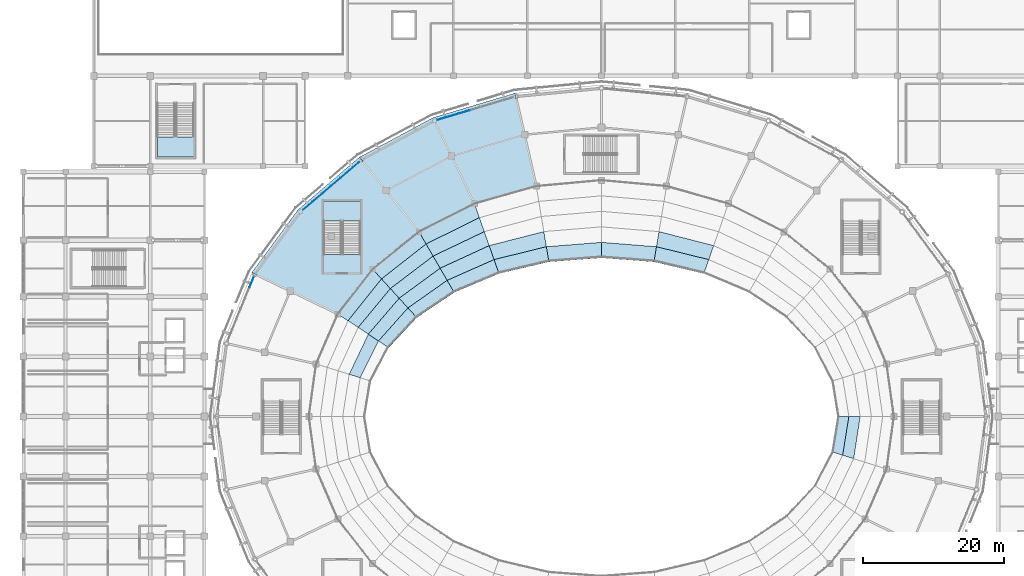
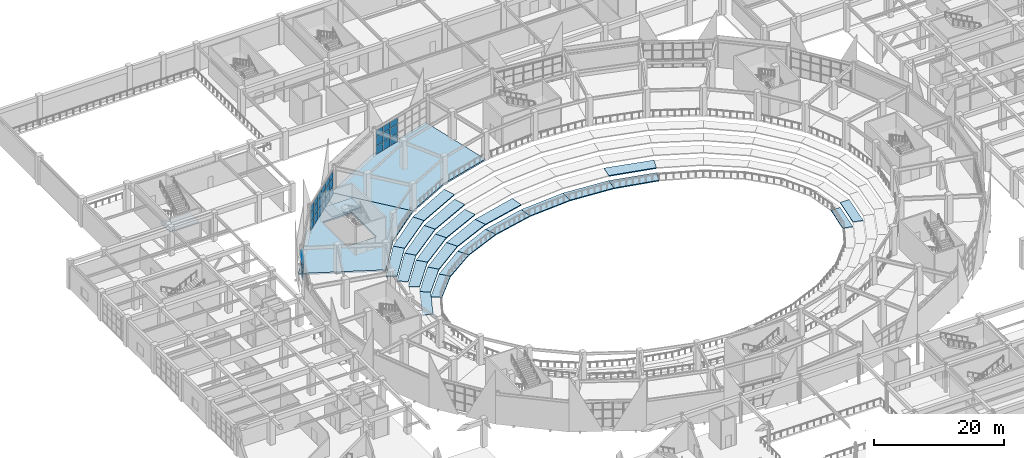
# One storey, part 63 of 120: 30 plates, 28 slabs, 5 elements without a shape of their own.
"""IFC4 building model written with IfcOpenShell, lengths in metres."""

from ifc_helpers import new_model, si_unit, direction, frame, origin, origin_2d, place, context, subcontext, project, spatial, polyline, rectangle, outline, extrude, material, layer, layer_set, type_object, element, aggregate, save


model = new_model("IFC4")

# Units and contexts
model_context = context("Model", 3, precision=1e-05, world=origin(), true_north=direction((0.0, 1.0)))
body_context = subcontext(model_context, "Body", "Model", "MODEL_VIEW")
ifc_project = project(units=[si_unit("LENGTHUNIT", "METRE"), si_unit("AREAUNIT", "SQUARE_METRE"), si_unit("VOLUMEUNIT", "CUBIC_METRE"), si_unit("PLANEANGLEUNIT", "RADIAN"), si_unit("MASSUNIT", "GRAM", prefix="KILO")], contexts=[model_context])

# Site, building, storey
site_placement = place(None, origin())
site = spatial("IfcSite", under=ifc_project, at=site_placement, CompositionType="ELEMENT")
building_placement = place(site_placement, origin())
building = spatial("IfcBuilding", under=site, at=building_placement, Name="Cuetzalor Civic Arena", CompositionType="ELEMENT")
storey_placement = place(building_placement, frame((0.0, 0.0, 6.0)))
storey = spatial("IfcBuildingStorey", under=building, at=storey_placement, Name="L01", CompositionType="ELEMENT", Elevation=6.0)

# Curtain wall, plates
ifc_material_1 = material(Name="Anodised dark bronze aluminium and low-E solar glass", Category="aluminium")
curtain_wall_type_1 = type_object("IfcCurtainWallType", Name="UnitisedCW_11300x4650", PredefinedType="USERDEFINED", material=ifc_material_1)
curtain_wall_1_placement = place(storey_placement, origin())
curtain_wall_1 = element("IfcCurtainWall", 1, at=curtain_wall_1_placement, inside=storey, type_object=curtain_wall_type_1, Name="Drum Triangle Foyer Curtain Wall L01-024", ObjectType="UNITISED CURTAIN WALL", PredefinedType="USERDEFINED")
ifc_material_2 = material(Name="Acoustic laminated solar control glass", Category="glass")
ifc_layer_1 = layer(ifc_material_2, 0.0439453125)
ifc_layer_set_1 = layer_set([ifc_layer_1], Name="Acoustic laminated solar control glass")
plate_type = type_object("IfcPlateType", Name="AcousticTripleGlazedPanel_44", PredefinedType="CURTAIN_PANEL", material=ifc_layer_set_1)
plate_1_placement = place(storey_placement, frame((-22.53125, 42.279541015625, 0.06982421875), z_axis=(0.0, 0.0, 1.0), x_axis=(0.958193690548, 0.286120344251, 0.0)))
plate_1 = element("IfcPlate", 2, at=plate_1_placement, type_object=plate_type, Name="CW-09 panel 1.1", PredefinedType="CURTAIN_PANEL", context=body_context, shape_type="SweptSolid", body=[
    extrude(rectangle(XDim=1.5107421875, YDim=0.0439453125, at=origin_2d()), origin(), (0.0, 0.0, 1.0), 1.570068359375),
])
plate_2_placement = place(storey_placement, frame((-22.53125, 42.279541015625, 1.7099609375), z_axis=(0.0, 0.0, 1.0), x_axis=(0.958193690548, 0.286120344251, 0.0)))
plate_2 = element("IfcPlate", 3, at=plate_2_placement, type_object=plate_type, Name="CW-09 panel 1.2", PredefinedType="CURTAIN_PANEL", context=body_context, shape_type="SweptSolid", body=[
    extrude(rectangle(XDim=1.5107421875, YDim=0.0439453125, at=origin_2d()), origin(), (0.0, 0.0, 1.0), 1.60498046875),
])
plate_3_placement = place(storey_placement, frame((-22.53125, 42.279541015625, 3.384765625), z_axis=(0.0, 0.0, 1.0), x_axis=(0.958193690548, 0.286120344251, 0.0)))
plate_3 = element("IfcPlate", 4, at=plate_3_placement, type_object=plate_type, Name="CW-09 panel 1.3", PredefinedType="CURTAIN_PANEL", context=body_context, shape_type="SweptSolid", body=[
    extrude(rectangle(XDim=1.5107421875, YDim=0.0439453125, at=origin_2d()), origin(), (0.0, 0.0, 1.0), 1.197998046875),
])
plate_4_placement = place(storey_placement, frame((-20.999755859375, 42.73681640625, 0.06982421875), z_axis=(0.0, 0.0, 1.0), x_axis=(0.958193690548, 0.286120344251, 0.0)))
plate_4 = element("IfcPlate", 5, at=plate_4_placement, type_object=plate_type, Name="CW-09 panel 2.1", PredefinedType="CURTAIN_PANEL", context=body_context, shape_type="SweptSolid", body=[
    extrude(rectangle(XDim=1.545654296875, YDim=0.0439453125, at=origin_2d()), origin(), (0.0, 0.0, 1.0), 1.570068359375),
])
plate_5_placement = place(storey_placement, frame((-20.999755859375, 42.73681640625, 1.7099609375), z_axis=(0.0, 0.0, 1.0), x_axis=(0.958193690548, 0.286120344251, 0.0)))
plate_5 = element("IfcPlate", 6, at=plate_5_placement, type_object=plate_type, Name="CW-09 panel 2.2", PredefinedType="CURTAIN_PANEL", context=body_context, shape_type="SweptSolid", body=[
    extrude(rectangle(XDim=1.545654296875, YDim=0.0439453125, at=origin_2d()), origin(), (0.0, 0.0, 1.0), 1.60498046875),
])
plate_6_placement = place(storey_placement, frame((-20.999755859375, 42.73681640625, 3.384765625), z_axis=(0.0, 0.0, 1.0), x_axis=(0.958193690548, 0.286120344251, 0.0)))
plate_6 = element("IfcPlate", 7, at=plate_6_placement, type_object=plate_type, Name="CW-09 panel 2.3", PredefinedType="CURTAIN_PANEL", context=body_context, shape_type="SweptSolid", body=[
    extrude(rectangle(XDim=1.545654296875, YDim=0.0439453125, at=origin_2d()), origin(), (0.0, 0.0, 1.0), 1.197998046875),
])
plate_7_placement = place(storey_placement, frame((-19.45166015625, 43.19921875, 0.06982421875), z_axis=(0.0, 0.0, 1.0), x_axis=(0.958193690548, 0.286120344251, 0.0)))
plate_7 = element("IfcPlate", 8, at=plate_7_placement, type_object=plate_type, Name="CW-09 panel 3.1", PredefinedType="CURTAIN_PANEL", context=body_context, shape_type="SweptSolid", body=[
    extrude(rectangle(XDim=1.545654296875, YDim=0.0439453125, at=origin_2d()), origin(), (0.0, 0.0, 1.0), 1.570068359375),
])
plate_8_placement = place(storey_placement, frame((-19.45166015625, 43.19921875, 1.7099609375), z_axis=(0.0, 0.0, 1.0), x_axis=(0.958193690548, 0.286120344251, 0.0)))
plate_8 = element("IfcPlate", 9, at=plate_8_placement, type_object=plate_type, Name="CW-09 panel 3.2", PredefinedType="CURTAIN_PANEL", context=body_context, shape_type="SweptSolid", body=[
    extrude(rectangle(XDim=1.545654296875, YDim=0.0439453125, at=origin_2d()), origin(), (0.0, 0.0, 1.0), 1.60498046875),
])
plate_9_placement = place(storey_placement, frame((-19.45166015625, 43.19921875, 3.384765625), z_axis=(0.0, 0.0, 1.0), x_axis=(0.958193690548, 0.286120344251, 0.0)))
plate_9 = element("IfcPlate", 10, at=plate_9_placement, type_object=plate_type, Name="CW-09 panel 3.3", PredefinedType="CURTAIN_PANEL", context=body_context, shape_type="SweptSolid", body=[
    extrude(rectangle(XDim=1.545654296875, YDim=0.0439453125, at=origin_2d()), origin(), (0.0, 0.0, 1.0), 1.197998046875),
])
aggregate(curtain_wall_1, [plate_1, plate_2, plate_3, plate_4, plate_5, plate_6, plate_7, plate_8, plate_9])

ifc_material_3 = material(Name="Anodised dark bronze aluminium and low-E solar glass", Category="aluminium")
curtain_wall_type_2 = type_object("IfcCurtainWallType", Name="UnitisedCW_10550x4650", PredefinedType="USERDEFINED", material=ifc_material_3)
curtain_wall_2_placement = place(storey_placement, origin())
curtain_wall_2 = element("IfcCurtainWall", 11, at=curtain_wall_2_placement, inside=storey, type_object=curtain_wall_type_2, Name="Drum Triangle Foyer Curtain Wall L01-025", ObjectType="UNITISED CURTAIN WALL", PredefinedType="USERDEFINED")
plate_10_placement = place(storey_placement, frame((-41.654541015625, 29.871826171875, 0.06982421875), z_axis=(0.0, 0.0, 1.0), x_axis=(0.760677142663, 0.64913040649, 0.0)))
plate_10 = element("IfcPlate", 12, at=plate_10_placement, type_object=plate_type, Name="CW-10 panel 1.1", PredefinedType="CURTAIN_PANEL", context=body_context, shape_type="SweptSolid", body=[
    extrude(rectangle(XDim=1.650146484375, YDim=0.0439453125, at=origin_2d()), origin(), (0.0, 0.0, 1.0), 1.570068359375),
])
plate_11_placement = place(storey_placement, frame((-41.654541015625, 29.871826171875, 1.7099609375), z_axis=(0.0, 0.0, 1.0), x_axis=(0.760677142663, 0.64913040649, 0.0)))
plate_11 = element("IfcPlate", 13, at=plate_11_placement, type_object=plate_type, Name="CW-10 panel 1.2", PredefinedType="CURTAIN_PANEL", context=body_context, shape_type="SweptSolid", body=[
    extrude(rectangle(XDim=1.650146484375, YDim=0.0439453125, at=origin_2d()), origin(), (0.0, 0.0, 1.0), 1.60498046875),
])
plate_12_placement = place(storey_placement, frame((-41.654541015625, 29.871826171875, 3.384765625), z_axis=(0.0, 0.0, 1.0), x_axis=(0.760677142663, 0.64913040649, 0.0)))
plate_12 = element("IfcPlate", 14, at=plate_12_placement, type_object=plate_type, Name="CW-10 panel 1.3", PredefinedType="CURTAIN_PANEL", context=body_context, shape_type="SweptSolid", body=[
    extrude(rectangle(XDim=1.650146484375, YDim=0.0439453125, at=origin_2d()), origin(), (0.0, 0.0, 1.0), 1.197998046875),
])
plate_13_placement = place(storey_placement, frame((-40.332763671875, 31.0, 0.06982421875), z_axis=(0.0, 0.0, 1.0), x_axis=(0.760677142663, 0.64913040649, 0.0)))
plate_13 = element("IfcPlate", 15, at=plate_13_placement, type_object=plate_type, Name="CW-10 panel 2.1", PredefinedType="CURTAIN_PANEL", context=body_context, shape_type="SweptSolid", body=[
    extrude(rectangle(XDim=1.68505859375, YDim=0.0439453125, at=origin_2d()), origin(), (0.0, 0.0, 1.0), 1.570068359375),
])
plate_14_placement = place(storey_placement, frame((-40.332763671875, 31.0, 1.7099609375), z_axis=(0.0, 0.0, 1.0), x_axis=(0.760677142663, 0.64913040649, 0.0)))
plate_14 = element("IfcPlate", 16, at=plate_14_placement, type_object=plate_type, Name="CW-10 panel 2.2", PredefinedType="CURTAIN_PANEL", context=body_context, shape_type="SweptSolid", body=[
    extrude(rectangle(XDim=1.68505859375, YDim=0.0439453125, at=origin_2d()), origin(), (0.0, 0.0, 1.0), 1.60498046875),
])
plate_15_placement = place(storey_placement, frame((-40.332763671875, 31.0, 3.384765625), z_axis=(0.0, 0.0, 1.0), x_axis=(0.760677142663, 0.64913040649, 0.0)))
plate_15 = element("IfcPlate", 17, at=plate_15_placement, type_object=plate_type, Name="CW-10 panel 2.3", PredefinedType="CURTAIN_PANEL", context=body_context, shape_type="SweptSolid", body=[
    extrude(rectangle(XDim=1.68505859375, YDim=0.0439453125, at=origin_2d()), origin(), (0.0, 0.0, 1.0), 1.197998046875),
])
plate_16_placement = place(storey_placement, frame((-38.997802734375, 32.13916015625, 0.06982421875), z_axis=(0.0, 0.0, 1.0), x_axis=(0.760677142663, 0.64913040649, 0.0)))
plate_16 = element("IfcPlate", 18, at=plate_16_placement, type_object=plate_type, Name="CW-10 panel 3.1", PredefinedType="CURTAIN_PANEL", context=body_context, shape_type="SweptSolid", body=[
    extrude(rectangle(XDim=1.68505859375, YDim=0.0439453125, at=origin_2d()), origin(), (0.0, 0.0, 1.0), 1.570068359375),
])
plate_17_placement = place(storey_placement, frame((-38.997802734375, 32.13916015625, 1.7099609375), z_axis=(0.0, 0.0, 1.0), x_axis=(0.760677142663, 0.64913040649, 0.0)))
plate_17 = element("IfcPlate", 19, at=plate_17_placement, type_object=plate_type, Name="CW-10 panel 3.2", PredefinedType="CURTAIN_PANEL", context=body_context, shape_type="SweptSolid", body=[
    extrude(rectangle(XDim=1.68505859375, YDim=0.0439453125, at=origin_2d()), origin(), (0.0, 0.0, 1.0), 1.60498046875),
])
plate_18_placement = place(storey_placement, frame((-38.997802734375, 32.13916015625, 3.384765625), z_axis=(0.0, 0.0, 1.0), x_axis=(0.760677142663, 0.64913040649, 0.0)))
plate_18 = element("IfcPlate", 20, at=plate_18_placement, type_object=plate_type, Name="CW-10 panel 3.3", PredefinedType="CURTAIN_PANEL", context=body_context, shape_type="SweptSolid", body=[
    extrude(rectangle(XDim=1.68505859375, YDim=0.0439453125, at=origin_2d()), origin(), (0.0, 0.0, 1.0), 1.197998046875),
])
plate_19_placement = place(storey_placement, frame((-37.66259765625, 33.278564453125, 0.06982421875), z_axis=(0.0, 0.0, 1.0), x_axis=(0.760677142663, 0.64913040649, 0.0)))
plate_19 = element("IfcPlate", 21, at=plate_19_placement, type_object=plate_type, Name="CW-10 panel 4.1", PredefinedType="CURTAIN_PANEL", context=body_context, shape_type="SweptSolid", body=[
    extrude(rectangle(XDim=1.68505859375, YDim=0.0439453125, at=origin_2d()), origin(), (0.0, 0.0, 1.0), 1.570068359375),
])
plate_20_placement = place(storey_placement, frame((-37.66259765625, 33.278564453125, 1.7099609375), z_axis=(0.0, 0.0, 1.0), x_axis=(0.760677142663, 0.64913040649, 0.0)))
plate_20 = element("IfcPlate", 22, at=plate_20_placement, type_object=plate_type, Name="CW-10 panel 4.2", PredefinedType="CURTAIN_PANEL", context=body_context, shape_type="SweptSolid", body=[
    extrude(rectangle(XDim=1.68505859375, YDim=0.0439453125, at=origin_2d()), origin(), (0.0, 0.0, 1.0), 1.60498046875),
])
plate_21_placement = place(storey_placement, frame((-37.66259765625, 33.278564453125, 3.384765625), z_axis=(0.0, 0.0, 1.0), x_axis=(0.760677142663, 0.64913040649, 0.0)))
plate_21 = element("IfcPlate", 23, at=plate_21_placement, type_object=plate_type, Name="CW-10 panel 4.3", PredefinedType="CURTAIN_PANEL", context=body_context, shape_type="SweptSolid", body=[
    extrude(rectangle(XDim=1.68505859375, YDim=0.0439453125, at=origin_2d()), origin(), (0.0, 0.0, 1.0), 1.197998046875),
])
plate_22_placement = place(storey_placement, frame((-36.327392578125, 34.41796875, 0.06982421875), z_axis=(0.0, 0.0, 1.0), x_axis=(0.760677142663, 0.64913040649, 0.0)))
plate_22 = element("IfcPlate", 24, at=plate_22_placement, type_object=plate_type, Name="CW-10 panel 5.1", PredefinedType="CURTAIN_PANEL", context=body_context, shape_type="SweptSolid", body=[
    extrude(rectangle(XDim=1.68505859375, YDim=0.0439453125, at=origin_2d()), origin(), (0.0, 0.0, 1.0), 1.570068359375),
])
plate_23_placement = place(storey_placement, frame((-36.327392578125, 34.41796875, 1.7099609375), z_axis=(0.0, 0.0, 1.0), x_axis=(0.760677142663, 0.64913040649, 0.0)))
plate_23 = element("IfcPlate", 25, at=plate_23_placement, type_object=plate_type, Name="CW-10 panel 5.2", PredefinedType="CURTAIN_PANEL", context=body_context, shape_type="SweptSolid", body=[
    extrude(rectangle(XDim=1.68505859375, YDim=0.0439453125, at=origin_2d()), origin(), (0.0, 0.0, 1.0), 1.60498046875),
])
plate_24_placement = place(storey_placement, frame((-36.327392578125, 34.41796875, 3.384765625), z_axis=(0.0, 0.0, 1.0), x_axis=(0.760677142663, 0.64913040649, 0.0)))
plate_24 = element("IfcPlate", 26, at=plate_24_placement, type_object=plate_type, Name="CW-10 panel 5.3", PredefinedType="CURTAIN_PANEL", context=body_context, shape_type="SweptSolid", body=[
    extrude(rectangle(XDim=1.68505859375, YDim=0.0439453125, at=origin_2d()), origin(), (0.0, 0.0, 1.0), 1.197998046875),
])
plate_25_placement = place(storey_placement, frame((-35.005615234375, 35.5458984375, 0.06982421875), z_axis=(0.0, 0.0, 1.0), x_axis=(0.760677142663, 0.64913040649, 0.0)))
plate_25 = element("IfcPlate", 27, at=plate_25_placement, type_object=plate_type, Name="CW-10 panel 6.1", PredefinedType="CURTAIN_PANEL", context=body_context, shape_type="SweptSolid", body=[
    extrude(rectangle(XDim=1.650146484375, YDim=0.0439453125, at=origin_2d()), origin(), (0.0, 0.0, 1.0), 1.570068359375),
])
plate_26_placement = place(storey_placement, frame((-35.005615234375, 35.5458984375, 1.7099609375), z_axis=(0.0, 0.0, 1.0), x_axis=(0.760677142663, 0.64913040649, 0.0)))
plate_26 = element("IfcPlate", 28, at=plate_26_placement, type_object=plate_type, Name="CW-10 panel 6.2", PredefinedType="CURTAIN_PANEL", context=body_context, shape_type="SweptSolid", body=[
    extrude(rectangle(XDim=1.650146484375, YDim=0.0439453125, at=origin_2d()), origin(), (0.0, 0.0, 1.0), 1.60498046875),
])
plate_27_placement = place(storey_placement, frame((-35.005615234375, 35.5458984375, 3.384765625), z_axis=(0.0, 0.0, 1.0), x_axis=(0.760677142663, 0.64913040649, 0.0)))
plate_27 = element("IfcPlate", 29, at=plate_27_placement, type_object=plate_type, Name="CW-10 panel 6.3", PredefinedType="CURTAIN_PANEL", context=body_context, shape_type="SweptSolid", body=[
    extrude(rectangle(XDim=1.650146484375, YDim=0.0439453125, at=origin_2d()), origin(), (0.0, 0.0, 1.0), 1.197998046875),
])
aggregate(curtain_wall_2, [plate_10, plate_11, plate_12, plate_13, plate_14, plate_15, plate_16, plate_17, plate_18, plate_19, plate_20, plate_21, plate_22, plate_23, plate_24, plate_25, plate_26, plate_27])

ifc_material_4 = material(Name="Anodised dark bronze aluminium and low-E solar glass", Category="aluminium")
curtain_wall_type_3 = type_object("IfcCurtainWallType", Name="UnitisedCW_9850x4650", PredefinedType="USERDEFINED", material=ifc_material_4)
curtain_wall_3_placement = place(storey_placement, origin())
curtain_wall_3 = element("IfcCurtainWall", 30, at=curtain_wall_3_placement, inside=storey, type_object=curtain_wall_type_3, Name="Drum Triangle Foyer Curtain Wall L01-026", ObjectType="UNITISED CURTAIN WALL", PredefinedType="USERDEFINED")
plate_28_placement = place(storey_placement, frame((-49.61083984375, 19.068359375, 0.06982421875), z_axis=(0.0, 0.0, 1.0), x_axis=(0.379391428583, 0.925236263836, 0.0)))
plate_28 = element("IfcPlate", 31, at=plate_28_placement, type_object=plate_type, Name="CW-11 panel 6.1", PredefinedType="CURTAIN_PANEL", context=body_context, shape_type="SweptSolid", body=[
    extrude(rectangle(XDim=1.540771484375, YDim=0.0439453125, at=origin_2d()), origin(), (0.0, 0.0, 1.0), 1.570068359375),
])
plate_29_placement = place(storey_placement, frame((-49.61083984375, 19.068359375, 1.7099609375), z_axis=(0.0, 0.0, 1.0), x_axis=(0.379391428583, 0.925236263836, 0.0)))
plate_29 = element("IfcPlate", 32, at=plate_29_placement, type_object=plate_type, Name="CW-11 panel 6.2", PredefinedType="CURTAIN_PANEL", context=body_context, shape_type="SweptSolid", body=[
    extrude(rectangle(XDim=1.540771484375, YDim=0.0439453125, at=origin_2d()), origin(), (0.0, 0.0, 1.0), 1.60498046875),
])
plate_30_placement = place(storey_placement, frame((-49.61083984375, 19.068359375, 3.384765625), z_axis=(0.0, 0.0, 1.0), x_axis=(0.379391428583, 0.925236263836, 0.0)))
plate_30 = element("IfcPlate", 33, at=plate_30_placement, type_object=plate_type, Name="CW-11 panel 6.3", PredefinedType="CURTAIN_PANEL", context=body_context, shape_type="SweptSolid", body=[
    extrude(rectangle(XDim=1.540771484375, YDim=0.0439453125, at=origin_2d()), origin(), (0.0, 0.0, 1.0), 1.197998046875),
])
aggregate(curtain_wall_3, [plate_28, plate_29, plate_30])

# Slabs
ifc_material_5 = material(Name="Concrete C35/45", Category="concrete")
ifc_layer_2 = layer(ifc_material_5, 0.300048828125)
ifc_layer_set_2 = layer_set([ifc_layer_2], Name="Concrete C35/45")
slab_type_1 = type_object("IfcSlabType", Name="ConcourseFloorSlab_300", PredefinedType="FLOOR", material=ifc_layer_set_2)
slab_1_placement = place(storey_placement, frame((0.0, 0.0, -0.300048828125)))
element("IfcSlab", 34, at=slab_1_placement, inside=storey, type_object=slab_type_1, Name="Arena Concourse Sector Slab L01-05", PredefinedType="FLOOR", context=body_context, shape_type="SweptSolid", body=[
    extrude(outline(polyline([(-9.234619140625, 32.66015625), (-18.006103515625, 30.1826171875), (-25.874755859375, 26.19140625), (-34.322998046875, 36.78515625), (-23.88525390625, 42.390625), (-12.249755859375, 45.870361328125), (-9.234619140625, 32.66015625)])), origin(), (0.0, 0.0, 1.0), 0.300048828125),
])
slab_2_placement = place(storey_placement, frame((0.0, 0.0, -0.300048828125)))
element("IfcSlab", 35, at=slab_2_placement, inside=storey, type_object=slab_type_1, Name="Arena Concourse Sector Slab L01-06", PredefinedType="FLOOR", context=body_context, shape_type="SweptSolid", body=[
    extrude(outline(polyline([(-32.446044921875, 20.886962890625), (-37.39013671875, 14.53515625), (-49.598388671875, 20.414306640625), (-43.039794921875, 29.335205078125), (-34.322998046875, 36.78515625), (-25.874755859375, 26.19140625), (-32.446044921875, 20.886962890625)]), holes=[polyline([(-34.199951171875, 23.0), (-34.199951171875, 30.60009765625), (-39.39990234375, 30.60009765625), (-39.39990234375, 23.0), (-34.199951171875, 23.0)])]), origin(), (0.0, 0.0, 1.0), 0.300048828125),
])
ifc_material_6 = material(Name="Precast concrete C45/55", Category="concrete")
ifc_layer_3 = layer(ifc_material_6, 0.179931640625)
ifc_layer_set_3 = layer_set([ifc_layer_3], Name="Precast concrete C45/55")
slab_type_2 = type_object("IfcSlabType", Name="LowerBowlSeatingTier_180", PredefinedType="USERDEFINED", material=ifc_layer_set_3)
slab_3_placement = place(storey_placement, frame((0.0, 0.0, -4.97998046875)))
element("IfcSlab", 36, at=slab_3_placement, inside=storey, type_object=slab_type_2, Name="Stand Lower Tier Bay 06 Row 1", ObjectType="SEATING TIER", PredefinedType="USERDEFINED", context=body_context, shape_type="SweptSolid", body=[
    extrude(outline(polyline([(14.53515625, 20.271728515625), (7.45458984375, 21.935791015625), (7.810546875, 24.080810546875), (15.229248046875, 22.25390625), (14.53515625, 20.271728515625)])), origin(), (0.0, 0.0, 1.0), 0.179931640625),
])
slab_4_placement = place(storey_placement, frame((0.0, 0.0, -4.06005859375)))
element("IfcSlab", 37, at=slab_4_placement, inside=storey, type_object=slab_type_2, Name="Stand Lower Tier Bay 06 Row 2", ObjectType="SEATING TIER", PredefinedType="USERDEFINED", context=body_context, shape_type="SweptSolid", body=[
    extrude(outline(polyline([(15.229248046875, 22.25390625), (7.810546875, 24.080810546875), (8.16650390625, 26.2255859375), (15.923583984375, 24.236083984375), (15.229248046875, 22.25390625)])), origin(), (0.0, 0.0, 1.0), 0.18017578125),
])
slab_5_placement = place(storey_placement, frame((0.0, 0.0, -4.97998046875)))
element("IfcSlab", 38, at=slab_5_placement, inside=storey, type_object=slab_type_2, Name="Stand Lower Tier Bay 07 Row 1", ObjectType="SEATING TIER", PredefinedType="USERDEFINED", context=body_context, shape_type="SweptSolid", body=[
    extrude(outline(polyline([(7.45458984375, 21.935791015625), (0.0, 22.5), (0.0, 24.699951171875), (7.810546875, 24.080810546875), (7.45458984375, 21.935791015625)])), origin(), (0.0, 0.0, 1.0), 0.179931640625),
])
slab_6_placement = place(storey_placement, frame((0.0, 0.0, -4.97998046875)))
element("IfcSlab", 39, at=slab_6_placement, inside=storey, type_object=slab_type_2, Name="Stand Lower Tier Bay 08 Row 1", ObjectType="SEATING TIER", PredefinedType="USERDEFINED", context=body_context, shape_type="SweptSolid", body=[
    extrude(outline(polyline([(0.0, 22.5), (-7.45458984375, 21.935791015625), (-7.810546875, 24.080810546875), (0.0, 24.699951171875), (0.0, 22.5)])), origin(), (0.0, 0.0, 1.0), 0.179931640625),
])
slab_7_placement = place(storey_placement, frame((0.0, 0.0, -4.97998046875)))
element("IfcSlab", 40, at=slab_7_placement, inside=storey, type_object=slab_type_2, Name="Stand Lower Tier Bay 09 Row 1", ObjectType="SEATING TIER", PredefinedType="USERDEFINED", context=body_context, shape_type="SweptSolid", body=[
    extrude(outline(polyline([(-7.45458984375, 21.935791015625), (-14.53515625, 20.271728515625), (-15.229248046875, 22.25390625), (-7.810546875, 24.080810546875), (-7.45458984375, 21.935791015625)])), origin(), (0.0, 0.0, 1.0), 0.179931640625),
])
slab_8_placement = place(storey_placement, frame((0.0, 0.0, -4.06005859375)))
element("IfcSlab", 41, at=slab_8_placement, inside=storey, type_object=slab_type_2, Name="Stand Lower Tier Bay 09 Row 2", ObjectType="SEATING TIER", PredefinedType="USERDEFINED", context=body_context, shape_type="SweptSolid", body=[
    extrude(outline(polyline([(-7.810546875, 24.080810546875), (-15.229248046875, 22.25390625), (-15.923583984375, 24.236083984375), (-8.16650390625, 26.2255859375), (-7.810546875, 24.080810546875)])), origin(), (0.0, 0.0, 1.0), 0.18017578125),
])
slab_9_placement = place(storey_placement, frame((0.0, 0.0, -4.97998046875)))
element("IfcSlab", 42, at=slab_9_placement, inside=storey, type_object=slab_type_2, Name="Stand Lower Tier Bay 10 Row 1", ObjectType="SEATING TIER", PredefinedType="USERDEFINED", context=body_context, shape_type="SweptSolid", body=[
    extrude(outline(polyline([(-14.53515625, 20.271728515625), (-20.886962890625, 17.59130859375), (-21.884521484375, 19.311279296875), (-15.229248046875, 22.25390625), (-14.53515625, 20.271728515625)])), origin(), (0.0, 0.0, 1.0), 0.179931640625),
])
slab_10_placement = place(storey_placement, frame((0.0, 0.0, -4.06005859375)))
element("IfcSlab", 43, at=slab_10_placement, inside=storey, type_object=slab_type_2, Name="Stand Lower Tier Bay 10 Row 2", ObjectType="SEATING TIER", PredefinedType="USERDEFINED", context=body_context, shape_type="SweptSolid", body=[
    extrude(outline(polyline([(-15.229248046875, 22.25390625), (-21.884521484375, 19.311279296875), (-22.882080078125, 21.03125), (-15.923583984375, 24.236083984375), (-15.229248046875, 22.25390625)])), origin(), (0.0, 0.0, 1.0), 0.18017578125),
])
slab_11_placement = place(storey_placement, frame((0.0, 0.0, -3.139892578125)))
element("IfcSlab", 44, at=slab_11_placement, inside=storey, type_object=slab_type_2, Name="Stand Lower Tier Bay 10 Row 3", ObjectType="SEATING TIER", PredefinedType="USERDEFINED", context=body_context, shape_type="SweptSolid", body=[
    extrude(outline(polyline([(-15.923583984375, 24.236083984375), (-22.882080078125, 21.03125), (-23.879638671875, 22.751220703125), (-16.61767578125, 26.21826171875), (-15.923583984375, 24.236083984375)])), origin(), (0.0, 0.0, 1.0), 0.179931640625),
])
slab_12_placement = place(storey_placement, frame((0.0, 0.0, -2.219970703125)))
element("IfcSlab", 45, at=slab_12_placement, inside=storey, type_object=slab_type_2, Name="Stand Lower Tier Bay 10 Row 4", ObjectType="SEATING TIER", PredefinedType="USERDEFINED", context=body_context, shape_type="SweptSolid", body=[
    extrude(outline(polyline([(-16.61767578125, 26.21826171875), (-23.879638671875, 22.751220703125), (-24.877197265625, 24.47119140625), (-17.31201171875, 28.2001953125), (-16.61767578125, 26.21826171875)])), origin(), (0.0, 0.0, 1.0), 0.179931640625),
])
slab_13_placement = place(storey_placement, frame((0.0, 0.0, -1.300048828125)))
element("IfcSlab", 46, at=slab_13_placement, inside=storey, type_object=slab_type_2, Name="Stand Lower Tier Bay 10 Row 5", ObjectType="SEATING TIER", PredefinedType="USERDEFINED", context=body_context, shape_type="SweptSolid", body=[
    extrude(outline(polyline([(-17.31201171875, 28.2001953125), (-24.877197265625, 24.47119140625), (-25.874755859375, 26.19140625), (-18.006103515625, 30.1826171875), (-17.31201171875, 28.2001953125)])), origin(), (0.0, 0.0, 1.0), 0.179931640625),
])
slab_14_placement = place(storey_placement, frame((0.0, 0.0, -4.97998046875)))
element("IfcSlab", 47, at=slab_14_placement, inside=storey, type_object=slab_type_2, Name="Stand Lower Tier Bay 11 Row 1", ObjectType="SEATING TIER", PredefinedType="USERDEFINED", context=body_context, shape_type="SweptSolid", body=[
    extrude(outline(polyline([(-20.886962890625, 17.59130859375), (-26.19140625, 14.028564453125), (-27.4423828125, 15.400146484375), (-21.884521484375, 19.311279296875), (-20.886962890625, 17.59130859375)])), origin(), (0.0, 0.0, 1.0), 0.179931640625),
])
slab_15_placement = place(storey_placement, frame((0.0, 0.0, -4.06005859375)))
element("IfcSlab", 48, at=slab_15_placement, inside=storey, type_object=slab_type_2, Name="Stand Lower Tier Bay 11 Row 2", ObjectType="SEATING TIER", PredefinedType="USERDEFINED", context=body_context, shape_type="SweptSolid", body=[
    extrude(outline(polyline([(-21.884521484375, 19.311279296875), (-27.4423828125, 15.400146484375), (-28.693115234375, 16.77197265625), (-22.882080078125, 21.03125), (-21.884521484375, 19.311279296875)])), origin(), (0.0, 0.0, 1.0), 0.18017578125),
])
slab_16_placement = place(storey_placement, frame((0.0, 0.0, -3.139892578125)))
element("IfcSlab", 49, at=slab_16_placement, inside=storey, type_object=slab_type_2, Name="Stand Lower Tier Bay 11 Row 3", ObjectType="SEATING TIER", PredefinedType="USERDEFINED", context=body_context, shape_type="SweptSolid", body=[
    extrude(outline(polyline([(-22.882080078125, 21.03125), (-28.693115234375, 16.77197265625), (-29.944091796875, 18.1435546875), (-23.879638671875, 22.751220703125), (-22.882080078125, 21.03125)])), origin(), (0.0, 0.0, 1.0), 0.179931640625),
])
slab_17_placement = place(storey_placement, frame((0.0, 0.0, -2.219970703125)))
element("IfcSlab", 50, at=slab_17_placement, inside=storey, type_object=slab_type_2, Name="Stand Lower Tier Bay 11 Row 4", ObjectType="SEATING TIER", PredefinedType="USERDEFINED", context=body_context, shape_type="SweptSolid", body=[
    extrude(outline(polyline([(-23.879638671875, 22.751220703125), (-29.944091796875, 18.1435546875), (-31.195068359375, 19.51513671875), (-24.877197265625, 24.47119140625), (-23.879638671875, 22.751220703125)])), origin(), (0.0, 0.0, 1.0), 0.179931640625),
])
slab_18_placement = place(storey_placement, frame((0.0, 0.0, -1.300048828125)))
element("IfcSlab", 51, at=slab_18_placement, inside=storey, type_object=slab_type_2, Name="Stand Lower Tier Bay 11 Row 5", ObjectType="SEATING TIER", PredefinedType="USERDEFINED", context=body_context, shape_type="SweptSolid", body=[
    extrude(outline(polyline([(-24.877197265625, 24.47119140625), (-31.195068359375, 19.51513671875), (-32.446044921875, 20.886962890625), (-25.874755859375, 26.19140625), (-24.877197265625, 24.47119140625)])), origin(), (0.0, 0.0, 1.0), 0.179931640625),
])
slab_19_placement = place(storey_placement, frame((0.0, 0.0, -4.97998046875)))
element("IfcSlab", 52, at=slab_19_placement, inside=storey, type_object=slab_type_2, Name="Stand Lower Tier Bay 12 Row 1", ObjectType="SEATING TIER", PredefinedType="USERDEFINED", context=body_context, shape_type="SweptSolid", body=[
    extrude(outline(polyline([(-26.19140625, 14.028564453125), (-30.1826171875, 9.762451171875), (-31.6240234375, 10.716796875), (-27.4423828125, 15.400146484375), (-26.19140625, 14.028564453125)])), origin(), (0.0, 0.0, 1.0), 0.179931640625),
])
slab_20_placement = place(storey_placement, frame((0.0, 0.0, -4.06005859375)))
element("IfcSlab", 53, at=slab_20_placement, inside=storey, type_object=slab_type_2, Name="Stand Lower Tier Bay 12 Row 2", ObjectType="SEATING TIER", PredefinedType="USERDEFINED", context=body_context, shape_type="SweptSolid", body=[
    extrude(outline(polyline([(-27.4423828125, 15.400146484375), (-31.6240234375, 10.716796875), (-33.065673828125, 11.67138671875), (-28.693115234375, 16.77197265625), (-27.4423828125, 15.400146484375)])), origin(), (0.0, 0.0, 1.0), 0.18017578125),
])
slab_21_placement = place(storey_placement, frame((0.0, 0.0, -3.139892578125)))
element("IfcSlab", 54, at=slab_21_placement, inside=storey, type_object=slab_type_2, Name="Stand Lower Tier Bay 12 Row 3", ObjectType="SEATING TIER", PredefinedType="USERDEFINED", context=body_context, shape_type="SweptSolid", body=[
    extrude(outline(polyline([(-28.693115234375, 16.77197265625), (-33.065673828125, 11.67138671875), (-34.507080078125, 12.6259765625), (-29.944091796875, 18.1435546875), (-28.693115234375, 16.77197265625)])), origin(), (0.0, 0.0, 1.0), 0.179931640625),
])
slab_22_placement = place(storey_placement, frame((0.0, 0.0, -2.219970703125)))
element("IfcSlab", 55, at=slab_22_placement, inside=storey, type_object=slab_type_2, Name="Stand Lower Tier Bay 12 Row 4", ObjectType="SEATING TIER", PredefinedType="USERDEFINED", context=body_context, shape_type="SweptSolid", body=[
    extrude(outline(polyline([(-29.944091796875, 18.1435546875), (-34.507080078125, 12.6259765625), (-35.94873046875, 13.58056640625), (-31.195068359375, 19.51513671875), (-29.944091796875, 18.1435546875)])), origin(), (0.0, 0.0, 1.0), 0.179931640625),
])
slab_23_placement = place(storey_placement, frame((0.0, 0.0, -1.300048828125)))
element("IfcSlab", 56, at=slab_23_placement, inside=storey, type_object=slab_type_2, Name="Stand Lower Tier Bay 12 Row 5", ObjectType="SEATING TIER", PredefinedType="USERDEFINED", context=body_context, shape_type="SweptSolid", body=[
    extrude(outline(polyline([(-31.195068359375, 19.51513671875), (-35.94873046875, 13.58056640625), (-37.39013671875, 14.53515625), (-32.446044921875, 20.886962890625), (-31.195068359375, 19.51513671875)])), origin(), (0.0, 0.0, 1.0), 0.179931640625),
])
slab_24_placement = place(storey_placement, frame((0.0, 0.0, -4.06005859375)))
element("IfcSlab", 57, at=slab_24_placement, inside=storey, type_object=slab_type_2, Name="Stand Lower Tier Bay 13 Row 2", ObjectType="SEATING TIER", PredefinedType="USERDEFINED", context=body_context, shape_type="SweptSolid", body=[
    extrude(outline(polyline([(-31.6240234375, 10.716796875), (-34.219970703125, 5.496337890625), (-35.77978515625, 5.98583984375), (-33.065673828125, 11.67138671875), (-31.6240234375, 10.716796875)])), origin(), (0.0, 0.0, 1.0), 0.18017578125),
])
slab_25_placement = place(storey_placement, frame((0.0, 0.0, -4.97998046875)))
element("IfcSlab", 58, at=slab_25_placement, inside=storey, type_object=slab_type_2, Name="Stand Lower Tier Bay 28 Row 1", ObjectType="SEATING TIER", PredefinedType="USERDEFINED", context=body_context, shape_type="SweptSolid", body=[
    extrude(outline(polyline([(32.66015625, -5.006591796875), (33.5, 0.0), (35.10009765625, 0.0), (34.219970703125, -5.496337890625), (32.66015625, -5.006591796875)])), origin(), (0.0, 0.0, 1.0), 0.179931640625),
])
slab_26_placement = place(storey_placement, frame((0.0, 0.0, -4.06005859375)))
element("IfcSlab", 59, at=slab_26_placement, inside=storey, type_object=slab_type_2, Name="Stand Lower Tier Bay 28 Row 2", ObjectType="SEATING TIER", PredefinedType="USERDEFINED", context=body_context, shape_type="SweptSolid", body=[
    extrude(outline(polyline([(34.219970703125, -5.496337890625), (35.10009765625, 0.0), (36.699951171875, 0.0), (35.77978515625, -5.98583984375), (34.219970703125, -5.496337890625)])), origin(), (0.0, 0.0, 1.0), 0.18017578125),
])

# Stair, slab
ifc_material_7 = material(Name="Precast concrete C40/50", Category="concrete")
stair_type = type_object("IfcStairType", Name="EnclosedExitStair_H540", PredefinedType="HALF_TURN_STAIR", material=ifc_material_7)
stair_1_placement = place(storey_placement, origin())
stair_1 = element("IfcStair", 60, at=stair_1_placement, inside=storey, type_object=stair_type, Name="L01 Enclosed Exit Stair ST-04", PredefinedType="HALF_TURN_STAIR")
ifc_material_8 = material(Name="Concrete C40/50", Category="concrete")
ifc_layer_4 = layer(ifc_material_8, 0.199951171875)
ifc_layer_set_4 = layer_set([ifc_layer_4], Name="Concrete C40/50")
slab_type_3 = type_object("IfcSlabType", Name="StairHalfLandingSlab_200", PredefinedType="LANDING", material=ifc_layer_set_4)
slab_27_placement = place(storey_placement, frame((0.0, 0.0, 2.5)))
slab_27 = element("IfcSlab", 61, at=slab_27_placement, type_object=slab_type_3, Name="ST-04 landing 1", PredefinedType="LANDING", context=body_context, shape_type="SweptSolid", body=[
    extrude(outline(polyline([(-34.199951171875, 27.719970703125), (-34.199951171875, 30.60009765625), (-39.39990234375, 30.60009765625), (-39.39990234375, 27.719970703125), (-34.199951171875, 27.719970703125)])), origin(), (0.0, 0.0, 1.0), 0.199951171875),
])
aggregate(stair_1, [slab_27])

stair_2_placement = place(storey_placement, origin())
stair_2 = element("IfcStair", 62, at=stair_2_placement, inside=storey, type_object=stair_type, Name="L01 Enclosed Exit Stair ST-23", PredefinedType="HALF_TURN_STAIR")
slab_28_placement = place(storey_placement, frame((0.0, 0.0, 2.5)))
slab_28 = element("IfcSlab", 63, at=slab_28_placement, type_object=slab_type_3, Name="ST-23 landing 1", PredefinedType="LANDING", context=body_context, shape_type="SweptSolid", body=[
    extrude(outline(polyline([(-63.0, 39.679931640625), (-63.0, 36.800048828125), (-57.800048828125, 36.800048828125), (-57.800048828125, 39.679931640625), (-63.0, 39.679931640625)])), origin(), (0.0, 0.0, 1.0), 0.199951171875),
])
aggregate(stair_2, [slab_28])

save(model, "model.ifc")
